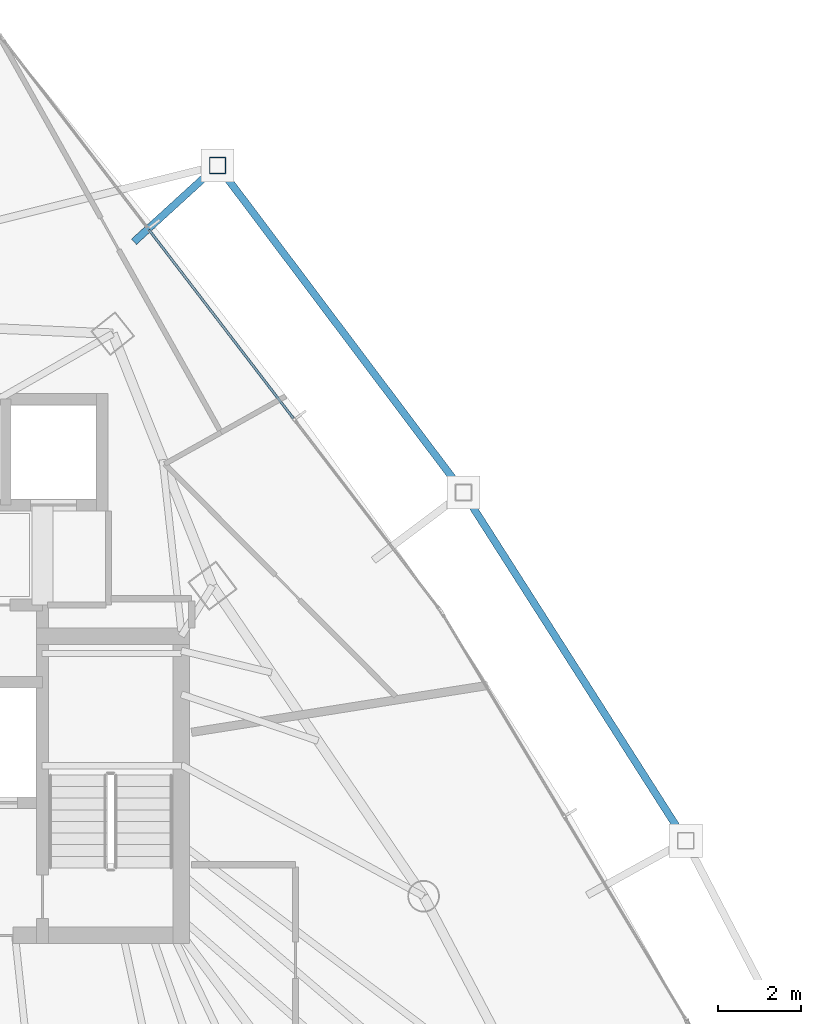
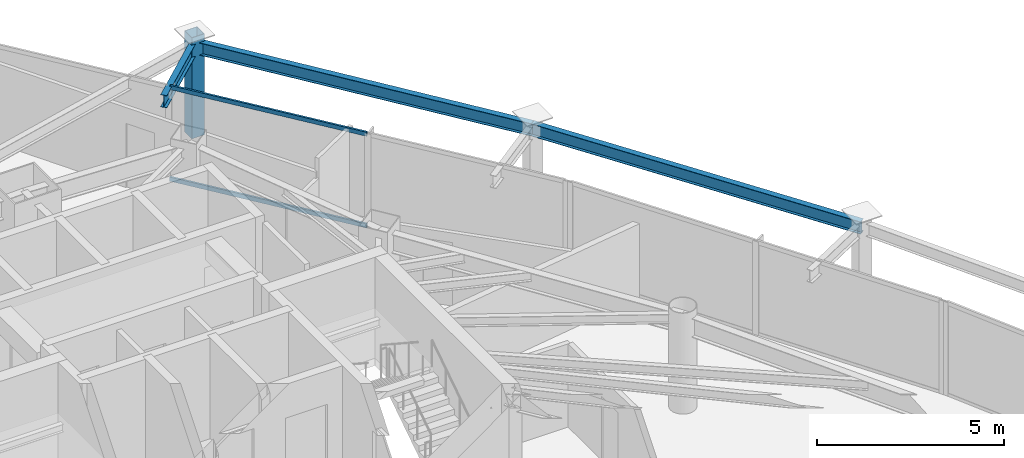
# One storey, part 26 of 33: 3 beams, 3 members, 1 element without a shape of its own.
"""IFC4 building model written with IfcOpenShell, lengths in metres."""

from ifc_helpers import new_model, si_unit, direction, frame, origin, origin_2d, place, context, subcontext, project, spatial, hollow_rectangle, i_section, extrude, material, layer, layer_set, material_profile, profile_set, type_object, element, aggregate, save


model = new_model("IFC4")

# Units and contexts
model_context = context("Model", 3, precision=1e-05, world=origin(), true_north=direction((0.0, 1.0)))
body_context = subcontext(model_context, "Body", "Model", "MODEL_VIEW")
ifc_project = project(units=[si_unit("LENGTHUNIT", "METRE"), si_unit("AREAUNIT", "SQUARE_METRE"), si_unit("VOLUMEUNIT", "CUBIC_METRE"), si_unit("PLANEANGLEUNIT", "RADIAN"), si_unit("MASSUNIT", "GRAM", prefix="KILO")], contexts=[model_context])

# Site, building, storey
site_placement = place(None, origin())
site = spatial("IfcSite", under=ifc_project, at=site_placement, CompositionType="ELEMENT")
building_placement = place(site_placement, origin())
building = spatial("IfcBuilding", under=site, at=building_placement, Name="Orvanel Arch Residences", CompositionType="ELEMENT")
storey_placement = place(building_placement, frame((0.0, 0.0, 123.199951171875)))
storey = spatial("IfcBuildingStorey", under=building, at=storey_placement, Name="L34", CompositionType="ELEMENT", Elevation=123.199951171875)

# Beams
ifc_material_1 = material(Name="Structural steel AS/NZS 3679.1 Grade 300 (300 MPa)", Category="steel")
ifc_material_profile_1 = material_profile(ifc_material_1, i_section(OverallWidth=0.177978515625, OverallDepth=0.406005859375, WebThickness=0.0078125, FlangeThickness=0.0126953125, at=origin_2d()), Name="410UB59.7")
ifc_profile_set_1 = profile_set([ifc_material_profile_1], Name="Structural steel AS/NZS 3679.1 Grade 300 (300 MPa)")
beam_type = type_object("IfcBeamType", Name="OB-410UB-EXT", PredefinedType="SPANDREL", material=ifc_profile_set_1)
beam_1_placement = place(storey_placement, frame((51.739990234375, 28.972900390625, 2.85693359375), z_axis=(-0.53782201313, 0.843058409716, 0.0), x_axis=(-0.843058409716, -0.53782201313, 0.0)))
element("IfcBeam", 1, at=beam_1_placement, inside=storey, type_object=beam_type, Name="L34 Outer Perimeter Floor Ring Beam 10", PredefinedType="SPANDREL", context=body_context, shape_type="SweptSolid", body=[
    extrude(i_section(OverallWidth=0.177978515625, OverallDepth=0.406005859375, WebThickness=0.0078125, FlangeThickness=0.0126953125, at=origin_2d()), origin(), (0.0, 0.0, 1.0), 9.943603515625),
])
beam_2_placement = place(storey_placement, frame((46.39208984375, 37.35595703125, 2.85693359375), z_axis=(-0.600999213408, 0.799249614002, 0.0), x_axis=(-0.799249614002, -0.600999213408, 0.0)))
element("IfcBeam", 2, at=beam_2_placement, inside=storey, type_object=beam_type, Name="L34 Outer Perimeter Floor Ring Beam 11", PredefinedType="SPANDREL", context=body_context, shape_type="SweptSolid", body=[
    extrude(i_section(OverallWidth=0.177978515625, OverallDepth=0.406005859375, WebThickness=0.0078125, FlangeThickness=0.0126953125, at=origin_2d()), origin(), (0.0, 0.0, 1.0), 9.846923828125),
])
beam_3_placement = place(storey_placement, frame((38.4619140625, 43.388916015625, 2.85693359375), z_axis=(0.738499072627, 0.674254491812, 0.0), x_axis=(-0.674254491812, 0.738499072627, 0.0)))
element("IfcBeam", 3, at=beam_3_placement, inside=storey, type_object=beam_type, Name="L34 Outer Frame Radial Tie Beam 12", PredefinedType="SPANDREL", context=body_context, shape_type="SweptSolid", body=[
    extrude(i_section(OverallWidth=0.177978515625, OverallDepth=0.406005859375, WebThickness=0.0078125, FlangeThickness=0.0126953125, at=origin_2d()), origin(), (0.0, 0.0, 1.0), 2.724609375),
])

# Member
ifc_material_2 = material(Name="Structural steel AS/NZS 1163 C450L0 (Grade 450)", Category="steel")
ifc_material_profile_2 = material_profile(ifc_material_2, hollow_rectangle(XDim=0.39990234375, YDim=0.39990234375, WallThickness=0.01611328125, at=origin_2d()), Name="SHS400x400x16")
ifc_profile_set_2 = profile_set([ifc_material_profile_2], Name="Structural steel AS/NZS 1163 C450L0 (Grade 450)")
member_type_1 = type_object("IfcMemberType", Name="ST-400SHS-EXT", PredefinedType="STRUT", material=ifc_profile_set_2)
member_1_placement = place(storey_placement, frame((40.47412109375, 45.22607421875, 0.0), z_axis=(0.0, 0.0, 1.0), x_axis=(1.0, 0.0, 0.0)))
element("IfcMember", 4, at=member_1_placement, inside=storey, type_object=member_type_1, Name="L34 Outer Perimeter Frame Post 12", PredefinedType="STRUT", context=body_context, shape_type="SweptSolid", body=[
    extrude(hollow_rectangle(XDim=0.39990234375, YDim=0.39990234375, WallThickness=0.01611328125, at=origin_2d()), origin(), (0.0, 0.0, 1.0), 3.300048828125),
])

# Curtain wall, members
ifc_material_3 = material(Name="Bronze-anodised aluminium AA6063-T6", Category="aluminium")
ifc_layer = layer(ifc_material_3, 0.179931640625)
ifc_layer_set = layer_set([ifc_layer], Name="Bronze-anodised aluminium AA6063-T6")
curtain_wall_type = type_object("IfcCurtainWallType", Name="CW3-MID-SYS", PredefinedType="NOTDEFINED", material=ifc_layer_set)
curtain_wall_placement = place(storey_placement, origin())
curtain_wall = element("IfcCurtainWall", 5, at=curtain_wall_placement, inside=storey, type_object=curtain_wall_type, Name="L34 CW3-MID-SYS Unitised Curtain Wall", PredefinedType="NOTDEFINED")
ifc_material_profile_3 = material_profile(ifc_material_3, hollow_rectangle(XDim=0.06005859375, YDim=0.135009765625, WallThickness=0.00390625, at=origin_2d()), Name="ALU135x60x4")
ifc_profile_set_3 = profile_set([ifc_material_profile_3], Name="Bronze-anodised aluminium AA6063-T6")
member_type_2 = type_object("IfcMemberType", Name="TRN-135x60", PredefinedType="USERDEFINED", material=ifc_profile_set_3)
member_2_placement = place(storey_placement, frame((42.299072265625, 39.13818359375, 0.030029296875), z_axis=(-0.608103229723, 0.793857960848, 0.0), x_axis=(-0.793857960848, -0.608103229723, 0.0)))
member_2 = element("IfcMember", 6, at=member_2_placement, type_object=member_type_2, Name="CW-S3 transom 2.1", ObjectType="TRANSOM", PredefinedType="USERDEFINED", context=body_context, shape_type="SweptSolid", body=[
    extrude(hollow_rectangle(XDim=0.06005859375, YDim=0.135009765625, WallThickness=0.00390625, at=origin_2d()), origin(), (0.0, 0.0, 1.0), 5.714599609375),
])
member_3_placement = place(storey_placement, frame((42.299072265625, 39.13818359375, 3.030029296875), z_axis=(-0.608103229723, 0.793857960848, 0.0), x_axis=(-0.793857960848, -0.608103229723, 0.0)))
member_3 = element("IfcMember", 7, at=member_3_placement, type_object=member_type_2, Name="CW-S3 transom 2.2", ObjectType="TRANSOM", PredefinedType="USERDEFINED", context=body_context, shape_type="SweptSolid", body=[
    extrude(hollow_rectangle(XDim=0.06005859375, YDim=0.135009765625, WallThickness=0.00390625, at=origin_2d()), origin(), (0.0, 0.0, 1.0), 5.714599609375),
])
aggregate(curtain_wall, [member_2, member_3])

save(model, "model.ifc")
